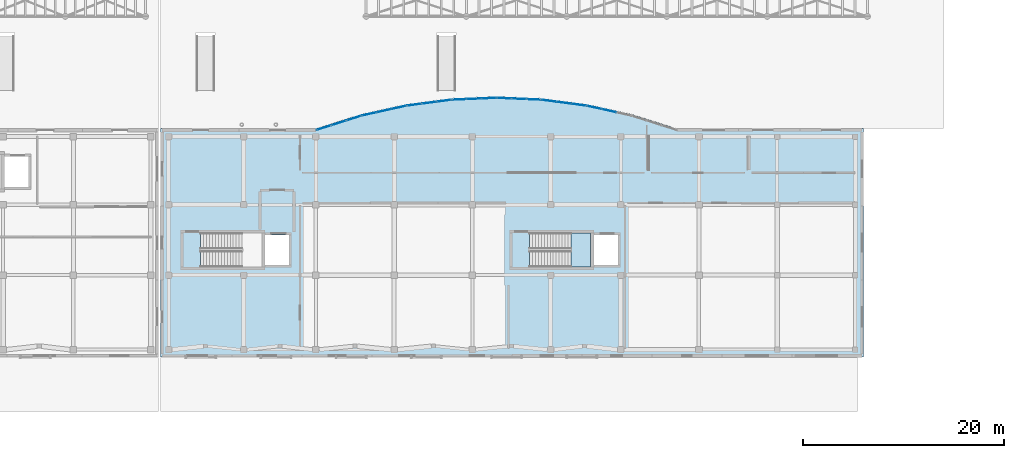
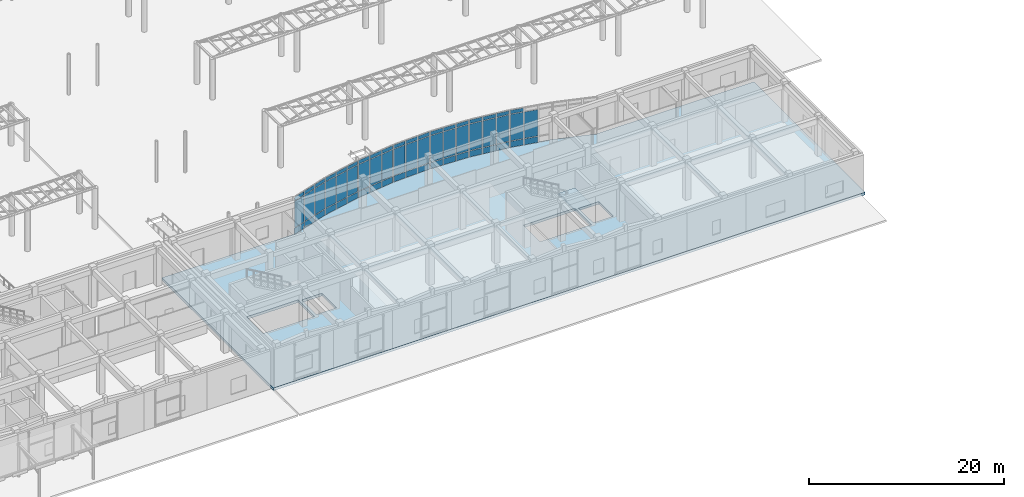
# One storey, part 80 of 121: 59 plates, 2 slabs, 8 elements without a shape of their own.
"""IFC4 building model written with IfcOpenShell, lengths in metres."""

from ifc_helpers import new_model, si_unit, direction, frame, origin, origin_2d, place, context, subcontext, project, spatial, polyline, rectangle, outline, extrude, material, layer, layer_set, type_object, element, aggregate, save


model = new_model("IFC4")

# Units and contexts
model_context = context("Model", 3, precision=1e-05, world=origin(), true_north=direction((0.0, 1.0)))
body_context = subcontext(model_context, "Body", "Model", "MODEL_VIEW")
ifc_project = project(units=[si_unit("LENGTHUNIT", "METRE"), si_unit("AREAUNIT", "SQUARE_METRE"), si_unit("VOLUMEUNIT", "CUBIC_METRE"), si_unit("PLANEANGLEUNIT", "RADIAN"), si_unit("MASSUNIT", "GRAM", prefix="KILO")], contexts=[model_context])

# Site, building, storey
site_placement = place(None, origin())
site = spatial("IfcSite", under=ifc_project, at=site_placement, CompositionType="ELEMENT")
building_placement = place(site_placement, origin())
building = spatial("IfcBuilding", under=site, at=building_placement, Name="Valcora Specialist Clinic", CompositionType="ELEMENT")
storey_placement = place(building_placement, origin())
storey = spatial("IfcBuildingStorey", under=building, at=storey_placement, Name="L00", CompositionType="ELEMENT", Elevation=0.0)

# Curtain wall, plates
ifc_material_1 = material(Name="Anodized Bronze Aluminium 6063-T6", Category="aluminium")
ifc_layer_1 = layer(ifc_material_1, 0.175048828125)
ifc_layer_set_1 = layer_set([ifc_layer_1], Name="Anodized Bronze Aluminium 6063-T6")
curtain_wall_type = type_object("IfcCurtainWallType", Name="TY-CW-ARC51", PredefinedType="NOTDEFINED", material=ifc_layer_set_1)
curtain_wall_1_placement = place(storey_placement, origin())
curtain_wall_1 = element("IfcCurtainWall", 1, at=curtain_wall_1_placement, inside=storey, type_object=curtain_wall_type, Name="Curtain wall CW-L00-186", PredefinedType="NOTDEFINED")
ifc_material_2 = material(Name="Low-E Laminated Insulating Glass", Category="glass")
ifc_layer_2 = layer(ifc_material_2, 0.028076171875)
ifc_layer_set_2 = layer_set([ifc_layer_2], Name="Low-E Laminated Insulating Glass")
plate_type_1 = type_object("IfcPlateType", Name="TY-CWP-GLZ28", PredefinedType="CURTAIN_PANEL", material=ifc_layer_set_2)
plate_1_placement = place(storey_placement, frame((69.79150390625, 22.89453125, 0.88232421875), z_axis=(0.0, 0.0, 1.0), x_axis=(0.952916356972, 0.303233270958, 0.0)))
plate_1 = element("IfcPlate", 2, at=plate_1_placement, type_object=plate_type_1, Name="CW-ARC-51 panel 1.2", PredefinedType="CURTAIN_PANEL", context=body_context, shape_type="SweptSolid", body=[
    extrude(rectangle(XDim=1.482177734375, YDim=0.028076171875, at=origin_2d()), origin(), (0.0, 0.0, 1.0), 3.304931640625),
])
plate_2_placement = place(storey_placement, frame((69.79150390625, 22.89453125, 4.25244140625), z_axis=(0.0, 0.0, 1.0), x_axis=(0.952916356972, 0.303233270958, 0.0)))
plate_2 = element("IfcPlate", 3, at=plate_2_placement, type_object=plate_type_1, Name="CW-ARC-51 panel 1.3", PredefinedType="CURTAIN_PANEL", context=body_context, shape_type="SweptSolid", body=[
    extrude(rectangle(XDim=1.482177734375, YDim=0.028076171875, at=origin_2d()), origin(), (0.0, 0.0, 1.0), 0.452392578125),
])
plate_3_placement = place(storey_placement, frame((71.28125, 23.368408203125, 0.88232421875), z_axis=(0.0, 0.0, 1.0), x_axis=(0.952916356972, 0.303233270958, 0.0)))
plate_3 = element("IfcPlate", 4, at=plate_3_placement, type_object=plate_type_1, Name="CW-ARC-51 panel 2.2", PredefinedType="CURTAIN_PANEL", context=body_context, shape_type="SweptSolid", body=[
    extrude(rectangle(XDim=1.5146484375, YDim=0.028076171875, at=origin_2d()), origin(), (0.0, 0.0, 1.0), 3.304931640625),
])
plate_4_placement = place(storey_placement, frame((71.28125, 23.368408203125, 4.25244140625), z_axis=(0.0, 0.0, 1.0), x_axis=(0.952916356972, 0.303233270958, 0.0)))
plate_4 = element("IfcPlate", 5, at=plate_4_placement, type_object=plate_type_1, Name="CW-ARC-51 panel 2.3", PredefinedType="CURTAIN_PANEL", context=body_context, shape_type="SweptSolid", body=[
    extrude(rectangle(XDim=1.5146484375, YDim=0.028076171875, at=origin_2d()), origin(), (0.0, 0.0, 1.0), 0.452392578125),
])
plate_5_placement = place(storey_placement, frame((72.77099609375, 23.842529296875, 0.88232421875), z_axis=(0.0, 0.0, 1.0), x_axis=(0.952916356972, 0.303233270958, 0.0)))
plate_5 = element("IfcPlate", 6, at=plate_5_placement, type_object=plate_type_1, Name="CW-ARC-51 panel 3.2", PredefinedType="CURTAIN_PANEL", context=body_context, shape_type="SweptSolid", body=[
    extrude(rectangle(XDim=1.482177734375, YDim=0.028076171875, at=origin_2d()), origin(), (0.0, 0.0, 1.0), 3.304931640625),
])
plate_6_placement = place(storey_placement, frame((72.77099609375, 23.842529296875, 4.25244140625), z_axis=(0.0, 0.0, 1.0), x_axis=(0.952916356972, 0.303233270958, 0.0)))
plate_6 = element("IfcPlate", 7, at=plate_6_placement, type_object=plate_type_1, Name="CW-ARC-51 panel 3.3", PredefinedType="CURTAIN_PANEL", context=body_context, shape_type="SweptSolid", body=[
    extrude(rectangle(XDim=1.482177734375, YDim=0.028076171875, at=origin_2d()), origin(), (0.0, 0.0, 1.0), 0.452392578125),
])

curtain_wall_2_placement = place(storey_placement, origin())
curtain_wall_2 = element("IfcCurtainWall", 8, at=curtain_wall_2_placement, inside=storey, type_object=curtain_wall_type, Name="Curtain wall CW-L00-188", PredefinedType="NOTDEFINED")
plate_7_placement = place(storey_placement, frame((78.7900390625, 25.182373046875, 0.88232421875), z_axis=(0.0, 0.0, 1.0), x_axis=(0.991514060421, 0.129999492259, 0.0)))
plate_7 = element("IfcPlate", 9, at=plate_7_placement, type_object=plate_type_1, Name="CW-ARC-51 panel 1.2", PredefinedType="CURTAIN_PANEL", context=body_context, shape_type="SweptSolid", body=[
    extrude(rectangle(XDim=1.410888671875, YDim=0.028076171875, at=origin_2d()), origin(), (0.0, 0.0, 1.0), 3.304931640625),
])
plate_8_placement = place(storey_placement, frame((78.7900390625, 25.182373046875, 4.25244140625), z_axis=(0.0, 0.0, 1.0), x_axis=(0.991514060421, 0.129999492259, 0.0)))
plate_8 = element("IfcPlate", 10, at=plate_8_placement, type_object=plate_type_1, Name="CW-ARC-51 panel 1.3", PredefinedType="CURTAIN_PANEL", context=body_context, shape_type="SweptSolid", body=[
    extrude(rectangle(XDim=1.410888671875, YDim=0.028076171875, at=origin_2d()), origin(), (0.0, 0.0, 1.0), 0.452392578125),
])
plate_9_placement = place(storey_placement, frame((80.26953125, 25.376220703125, 0.88232421875), z_axis=(0.0, 0.0, 1.0), x_axis=(0.991514060421, 0.129999492259, 0.0)))
plate_9 = element("IfcPlate", 11, at=plate_9_placement, type_object=plate_type_1, Name="CW-ARC-51 panel 2.2", PredefinedType="CURTAIN_PANEL", context=body_context, shape_type="SweptSolid", body=[
    extrude(rectangle(XDim=1.443359375, YDim=0.028076171875, at=origin_2d()), origin(), (0.0, 0.0, 1.0), 3.304931640625),
])
plate_10_placement = place(storey_placement, frame((80.26953125, 25.376220703125, 4.25244140625), z_axis=(0.0, 0.0, 1.0), x_axis=(0.991514060421, 0.129999492259, 0.0)))
plate_10 = element("IfcPlate", 12, at=plate_10_placement, type_object=plate_type_1, Name="CW-ARC-51 panel 2.3", PredefinedType="CURTAIN_PANEL", context=body_context, shape_type="SweptSolid", body=[
    extrude(rectangle(XDim=1.443359375, YDim=0.028076171875, at=origin_2d()), origin(), (0.0, 0.0, 1.0), 0.452392578125),
])
plate_11_placement = place(storey_placement, frame((81.7490234375, 25.5703125, 0.88232421875), z_axis=(0.0, 0.0, 1.0), x_axis=(0.991514060421, 0.129999492259, 0.0)))
plate_11 = element("IfcPlate", 13, at=plate_11_placement, type_object=plate_type_1, Name="CW-ARC-51 panel 3.2", PredefinedType="CURTAIN_PANEL", context=body_context, shape_type="SweptSolid", body=[
    extrude(rectangle(XDim=1.410888671875, YDim=0.028076171875, at=origin_2d()), origin(), (0.0, 0.0, 1.0), 3.304931640625),
])
plate_12_placement = place(storey_placement, frame((81.7490234375, 25.5703125, 4.25244140625), z_axis=(0.0, 0.0, 1.0), x_axis=(0.991514060421, 0.129999492259, 0.0)))
plate_12 = element("IfcPlate", 14, at=plate_12_placement, type_object=plate_type_1, Name="CW-ARC-51 panel 3.3", PredefinedType="CURTAIN_PANEL", context=body_context, shape_type="SweptSolid", body=[
    extrude(rectangle(XDim=1.410888671875, YDim=0.028076171875, at=origin_2d()), origin(), (0.0, 0.0, 1.0), 0.452392578125),
])

curtain_wall_3_placement = place(storey_placement, origin())
curtain_wall_3 = element("IfcCurtainWall", 15, at=curtain_wall_3_placement, inside=storey, type_object=curtain_wall_type, Name="Curtain wall CW-L00-190", PredefinedType="NOTDEFINED")
plate_13_placement = place(storey_placement, frame((87.76416015625, 25.831787109375, 0.88232421875), z_axis=(0.0, 0.0, 1.0), x_axis=(0.999061821291, -0.043306780525, 0.0)))
plate_13 = element("IfcPlate", 16, at=plate_13_placement, type_object=plate_type_1, Name="CW-ARC-51 panel 1.2", PredefinedType="CURTAIN_PANEL", context=body_context, shape_type="SweptSolid", body=[
    extrude(rectangle(XDim=1.399658203125, YDim=0.028076171875, at=origin_2d()), origin(), (0.0, 0.0, 1.0), 3.304931640625),
])
plate_14_placement = place(storey_placement, frame((87.76416015625, 25.831787109375, 4.25244140625), z_axis=(0.0, 0.0, 1.0), x_axis=(0.999061821291, -0.043306780525, 0.0)))
plate_14 = element("IfcPlate", 17, at=plate_14_placement, type_object=plate_type_1, Name="CW-ARC-51 panel 1.3", PredefinedType="CURTAIN_PANEL", context=body_context, shape_type="SweptSolid", body=[
    extrude(rectangle(XDim=1.399658203125, YDim=0.028076171875, at=origin_2d()), origin(), (0.0, 0.0, 1.0), 0.452392578125),
])
plate_15_placement = place(storey_placement, frame((89.243408203125, 25.767578125, 0.88232421875), z_axis=(0.0, 0.0, 1.0), x_axis=(0.999061821291, -0.043306780525, 0.0)))
plate_15 = element("IfcPlate", 18, at=plate_15_placement, type_object=plate_type_1, Name="CW-ARC-51 panel 2.2", PredefinedType="CURTAIN_PANEL", context=body_context, shape_type="SweptSolid", body=[
    extrude(rectangle(XDim=1.43212890625, YDim=0.028076171875, at=origin_2d()), origin(), (0.0, 0.0, 1.0), 3.304931640625),
])
plate_16_placement = place(storey_placement, frame((89.243408203125, 25.767578125, 4.25244140625), z_axis=(0.0, 0.0, 1.0), x_axis=(0.999061821291, -0.043306780525, 0.0)))
plate_16 = element("IfcPlate", 19, at=plate_16_placement, type_object=plate_type_1, Name="CW-ARC-51 panel 2.3", PredefinedType="CURTAIN_PANEL", context=body_context, shape_type="SweptSolid", body=[
    extrude(rectangle(XDim=1.43212890625, YDim=0.028076171875, at=origin_2d()), origin(), (0.0, 0.0, 1.0), 0.452392578125),
])
plate_17_placement = place(storey_placement, frame((90.722900390625, 25.70361328125, 0.88232421875), z_axis=(0.0, 0.0, 1.0), x_axis=(0.999061821291, -0.043306780525, 0.0)))
plate_17 = element("IfcPlate", 20, at=plate_17_placement, type_object=plate_type_1, Name="CW-ARC-51 panel 3.2", PredefinedType="CURTAIN_PANEL", context=body_context, shape_type="SweptSolid", body=[
    extrude(rectangle(XDim=1.399658203125, YDim=0.028076171875, at=origin_2d()), origin(), (0.0, 0.0, 1.0), 3.304931640625),
])
plate_18_placement = place(storey_placement, frame((90.722900390625, 25.70361328125, 4.25244140625), z_axis=(0.0, 0.0, 1.0), x_axis=(0.999061821291, -0.043306780525, 0.0)))
plate_18 = element("IfcPlate", 21, at=plate_18_placement, type_object=plate_type_1, Name="CW-ARC-51 panel 3.3", PredefinedType="CURTAIN_PANEL", context=body_context, shape_type="SweptSolid", body=[
    extrude(rectangle(XDim=1.399658203125, YDim=0.028076171875, at=origin_2d()), origin(), (0.0, 0.0, 1.0), 0.452392578125),
])

curtain_wall_4_placement = place(storey_placement, origin())
curtain_wall_4 = element("IfcCurtainWall", 22, at=curtain_wall_4_placement, inside=storey, type_object=curtain_wall_type, Name="Curtain wall CW-L00-192", PredefinedType="NOTDEFINED")
plate_19_placement = place(storey_placement, frame((96.73779296875, 24.912841796875, 0.88232421875), z_axis=(0.0, 0.0, 1.0), x_axis=(0.976278614432, -0.216518052372, 0.0)))
plate_19 = element("IfcPlate", 23, at=plate_19_placement, type_object=plate_type_1, Name="CW-ARC-51 panel 1.2", PredefinedType="CURTAIN_PANEL", context=body_context, shape_type="SweptSolid", body=[
    extrude(rectangle(XDim=1.4345703125, YDim=0.028076171875, at=origin_2d()), origin(), (0.0, 0.0, 1.0), 3.304931640625),
])
plate_20_placement = place(storey_placement, frame((96.73779296875, 24.912841796875, 4.25244140625), z_axis=(0.0, 0.0, 1.0), x_axis=(0.976278614432, -0.216518052372, 0.0)))
plate_20 = element("IfcPlate", 24, at=plate_20_placement, type_object=plate_type_1, Name="CW-ARC-51 panel 1.3", PredefinedType="CURTAIN_PANEL", context=body_context, shape_type="SweptSolid", body=[
    extrude(rectangle(XDim=1.4345703125, YDim=0.028076171875, at=origin_2d()), origin(), (0.0, 0.0, 1.0), 0.452392578125),
])
plate_21_placement = place(storey_placement, frame((98.217529296875, 24.58447265625, 0.88232421875), z_axis=(0.0, 0.0, 1.0), x_axis=(0.976278614432, -0.216518052372, 0.0)))
plate_21 = element("IfcPlate", 25, at=plate_21_placement, type_object=plate_type_1, Name="CW-ARC-51 panel 2.2", PredefinedType="CURTAIN_PANEL", context=body_context, shape_type="SweptSolid", body=[
    extrude(rectangle(XDim=1.467041015625, YDim=0.028076171875, at=origin_2d()), origin(), (0.0, 0.0, 1.0), 3.304931640625),
])

curtain_wall_5_placement = place(storey_placement, origin())
curtain_wall_5 = element("IfcCurtainWall", 26, at=curtain_wall_5_placement, inside=storey, type_object=curtain_wall_type, Name="Curtain wall CW-L00-187", PredefinedType="NOTDEFINED")
ifc_layer_3 = layer(ifc_material_2, 0.033935546875)
ifc_layer_set_3 = layer_set([ifc_layer_3], Name="Low-E Laminated Insulating Glass")
plate_type_2 = type_object("IfcPlateType", Name="TY-CWP-GLZ34", PredefinedType="CURTAIN_PANEL", material=ifc_layer_set_3)
plate_22_placement = place(storey_placement, frame((74.302734375, 24.25634765625, 0.88232421875), z_axis=(0.0, 0.0, 1.0), x_axis=(0.976278614432, 0.216518052372, 0.0)))
plate_22 = element("IfcPlate", 27, at=plate_22_placement, type_object=plate_type_2, Name="CW-ARC-51 panel 1.2", PredefinedType="CURTAIN_PANEL", context=body_context, shape_type="SweptSolid", body=[
    extrude(rectangle(XDim=1.4345703125, YDim=0.033935546875, at=origin_2d()), origin(), (0.0, 0.0, 1.0), 3.304931640625),
])
plate_23_placement = place(storey_placement, frame((74.302734375, 24.25634765625, 4.25244140625), z_axis=(0.0, 0.0, 1.0), x_axis=(0.976278614432, 0.216518052372, 0.0)))
plate_23 = element("IfcPlate", 28, at=plate_23_placement, type_object=plate_type_2, Name="CW-ARC-51 panel 1.3", PredefinedType="CURTAIN_PANEL", context=body_context, shape_type="SweptSolid", body=[
    extrude(rectangle(XDim=1.4345703125, YDim=0.033935546875, at=origin_2d()), origin(), (0.0, 0.0, 1.0), 0.452392578125),
])
plate_24_placement = place(storey_placement, frame((75.782470703125, 24.58447265625, 0.88232421875), z_axis=(0.0, 0.0, 1.0), x_axis=(0.976278614432, 0.216518052372, 0.0)))
plate_24 = element("IfcPlate", 29, at=plate_24_placement, type_object=plate_type_2, Name="CW-ARC-51 panel 2.2", PredefinedType="CURTAIN_PANEL", context=body_context, shape_type="SweptSolid", body=[
    extrude(rectangle(XDim=1.467041015625, YDim=0.033935546875, at=origin_2d()), origin(), (0.0, 0.0, 1.0), 3.304931640625),
])
plate_25_placement = place(storey_placement, frame((75.782470703125, 24.58447265625, 4.25244140625), z_axis=(0.0, 0.0, 1.0), x_axis=(0.976278614432, 0.216518052372, 0.0)))
plate_25 = element("IfcPlate", 30, at=plate_25_placement, type_object=plate_type_2, Name="CW-ARC-51 panel 2.3", PredefinedType="CURTAIN_PANEL", context=body_context, shape_type="SweptSolid", body=[
    extrude(rectangle(XDim=1.467041015625, YDim=0.033935546875, at=origin_2d()), origin(), (0.0, 0.0, 1.0), 0.452392578125),
])
plate_26_placement = place(storey_placement, frame((77.26220703125, 24.912841796875, 0.88232421875), z_axis=(0.0, 0.0, 1.0), x_axis=(0.976278614432, 0.216518052372, 0.0)))
plate_26 = element("IfcPlate", 31, at=plate_26_placement, type_object=plate_type_2, Name="CW-ARC-51 panel 3.2", PredefinedType="CURTAIN_PANEL", context=body_context, shape_type="SweptSolid", body=[
    extrude(rectangle(XDim=1.4345703125, YDim=0.033935546875, at=origin_2d()), origin(), (0.0, 0.0, 1.0), 3.304931640625),
])
plate_27_placement = place(storey_placement, frame((77.26220703125, 24.912841796875, 4.25244140625), z_axis=(0.0, 0.0, 1.0), x_axis=(0.976278614432, 0.216518052372, 0.0)))
plate_27 = element("IfcPlate", 32, at=plate_27_placement, type_object=plate_type_2, Name="CW-ARC-51 panel 3.3", PredefinedType="CURTAIN_PANEL", context=body_context, shape_type="SweptSolid", body=[
    extrude(rectangle(XDim=1.4345703125, YDim=0.033935546875, at=origin_2d()), origin(), (0.0, 0.0, 1.0), 0.452392578125),
])

curtain_wall_6_placement = place(storey_placement, origin())
curtain_wall_6 = element("IfcCurtainWall", 33, at=curtain_wall_6_placement, inside=storey, type_object=curtain_wall_type, Name="Curtain wall CW-L00-189", PredefinedType="NOTDEFINED")
plate_28_placement = place(storey_placement, frame((83.277099609375, 25.70361328125, 0.88232421875), z_axis=(0.0, 0.0, 1.0), x_axis=(0.999061821291, 0.043306780525, 0.0)))
plate_28 = element("IfcPlate", 34, at=plate_28_placement, type_object=plate_type_2, Name="CW-ARC-51 panel 1.2", PredefinedType="CURTAIN_PANEL", context=body_context, shape_type="SweptSolid", body=[
    extrude(rectangle(XDim=1.399658203125, YDim=0.033935546875, at=origin_2d()), origin(), (0.0, 0.0, 1.0), 3.304931640625),
])
plate_29_placement = place(storey_placement, frame((83.277099609375, 25.70361328125, 4.25244140625), z_axis=(0.0, 0.0, 1.0), x_axis=(0.999061821291, 0.043306780525, 0.0)))
plate_29 = element("IfcPlate", 35, at=plate_29_placement, type_object=plate_type_2, Name="CW-ARC-51 panel 1.3", PredefinedType="CURTAIN_PANEL", context=body_context, shape_type="SweptSolid", body=[
    extrude(rectangle(XDim=1.399658203125, YDim=0.033935546875, at=origin_2d()), origin(), (0.0, 0.0, 1.0), 0.452392578125),
])
plate_30_placement = place(storey_placement, frame((84.756591796875, 25.767578125, 0.88232421875), z_axis=(0.0, 0.0, 1.0), x_axis=(0.999061821291, 0.043306780525, 0.0)))
plate_30 = element("IfcPlate", 36, at=plate_30_placement, type_object=plate_type_2, Name="CW-ARC-51 panel 2.2", PredefinedType="CURTAIN_PANEL", context=body_context, shape_type="SweptSolid", body=[
    extrude(rectangle(XDim=1.43212890625, YDim=0.033935546875, at=origin_2d()), origin(), (0.0, 0.0, 1.0), 3.304931640625),
])
plate_31_placement = place(storey_placement, frame((84.756591796875, 25.767578125, 4.25244140625), z_axis=(0.0, 0.0, 1.0), x_axis=(0.999061821291, 0.043306780525, 0.0)))
plate_31 = element("IfcPlate", 37, at=plate_31_placement, type_object=plate_type_2, Name="CW-ARC-51 panel 2.3", PredefinedType="CURTAIN_PANEL", context=body_context, shape_type="SweptSolid", body=[
    extrude(rectangle(XDim=1.43212890625, YDim=0.033935546875, at=origin_2d()), origin(), (0.0, 0.0, 1.0), 0.452392578125),
])
plate_32_placement = place(storey_placement, frame((86.23583984375, 25.831787109375, 0.88232421875), z_axis=(0.0, 0.0, 1.0), x_axis=(0.999061821291, 0.043306780525, 0.0)))
plate_32 = element("IfcPlate", 38, at=plate_32_placement, type_object=plate_type_2, Name="CW-ARC-51 panel 3.2", PredefinedType="CURTAIN_PANEL", context=body_context, shape_type="SweptSolid", body=[
    extrude(rectangle(XDim=1.399658203125, YDim=0.033935546875, at=origin_2d()), origin(), (0.0, 0.0, 1.0), 3.304931640625),
])
plate_33_placement = place(storey_placement, frame((86.23583984375, 25.831787109375, 4.25244140625), z_axis=(0.0, 0.0, 1.0), x_axis=(0.999061821291, 0.043306780525, 0.0)))
plate_33 = element("IfcPlate", 39, at=plate_33_placement, type_object=plate_type_2, Name="CW-ARC-51 panel 3.3", PredefinedType="CURTAIN_PANEL", context=body_context, shape_type="SweptSolid", body=[
    extrude(rectangle(XDim=1.399658203125, YDim=0.033935546875, at=origin_2d()), origin(), (0.0, 0.0, 1.0), 0.452392578125),
])

curtain_wall_7_placement = place(storey_placement, origin())
curtain_wall_7 = element("IfcCurtainWall", 40, at=curtain_wall_7_placement, inside=storey, type_object=curtain_wall_type, Name="Curtain wall CW-L00-191", PredefinedType="NOTDEFINED")
plate_34_placement = place(storey_placement, frame((92.2509765625, 25.5703125, 0.88232421875), z_axis=(0.0, 0.0, 1.0), x_axis=(0.991514060421, -0.129999492259, 0.0)))
plate_34 = element("IfcPlate", 41, at=plate_34_placement, type_object=plate_type_2, Name="CW-ARC-51 panel 1.2", PredefinedType="CURTAIN_PANEL", context=body_context, shape_type="SweptSolid", body=[
    extrude(rectangle(XDim=1.410888671875, YDim=0.033935546875, at=origin_2d()), origin(), (0.0, 0.0, 1.0), 3.304931640625),
])
plate_35_placement = place(storey_placement, frame((92.2509765625, 25.5703125, 4.25244140625), z_axis=(0.0, 0.0, 1.0), x_axis=(0.991514060421, -0.129999492259, 0.0)))
plate_35 = element("IfcPlate", 42, at=plate_35_placement, type_object=plate_type_2, Name="CW-ARC-51 panel 1.3", PredefinedType="CURTAIN_PANEL", context=body_context, shape_type="SweptSolid", body=[
    extrude(rectangle(XDim=1.410888671875, YDim=0.033935546875, at=origin_2d()), origin(), (0.0, 0.0, 1.0), 0.452392578125),
])
plate_36_placement = place(storey_placement, frame((93.73046875, 25.376220703125, 0.88232421875), z_axis=(0.0, 0.0, 1.0), x_axis=(0.991514060421, -0.129999492259, 0.0)))
plate_36 = element("IfcPlate", 43, at=plate_36_placement, type_object=plate_type_2, Name="CW-ARC-51 panel 2.2", PredefinedType="CURTAIN_PANEL", context=body_context, shape_type="SweptSolid", body=[
    extrude(rectangle(XDim=1.443359375, YDim=0.033935546875, at=origin_2d()), origin(), (0.0, 0.0, 1.0), 3.304931640625),
])
plate_37_placement = place(storey_placement, frame((93.73046875, 25.376220703125, 4.25244140625), z_axis=(0.0, 0.0, 1.0), x_axis=(0.991514060421, -0.129999492259, 0.0)))
plate_37 = element("IfcPlate", 44, at=plate_37_placement, type_object=plate_type_2, Name="CW-ARC-51 panel 2.3", PredefinedType="CURTAIN_PANEL", context=body_context, shape_type="SweptSolid", body=[
    extrude(rectangle(XDim=1.443359375, YDim=0.033935546875, at=origin_2d()), origin(), (0.0, 0.0, 1.0), 0.452392578125),
])
plate_38_placement = place(storey_placement, frame((95.2099609375, 25.182373046875, 0.88232421875), z_axis=(0.0, 0.0, 1.0), x_axis=(0.991514060421, -0.129999492259, 0.0)))
plate_38 = element("IfcPlate", 45, at=plate_38_placement, type_object=plate_type_2, Name="CW-ARC-51 panel 3.2", PredefinedType="CURTAIN_PANEL", context=body_context, shape_type="SweptSolid", body=[
    extrude(rectangle(XDim=1.410888671875, YDim=0.033935546875, at=origin_2d()), origin(), (0.0, 0.0, 1.0), 3.304931640625),
])
plate_39_placement = place(storey_placement, frame((95.2099609375, 25.182373046875, 4.25244140625), z_axis=(0.0, 0.0, 1.0), x_axis=(0.991514060421, -0.129999492259, 0.0)))
plate_39 = element("IfcPlate", 46, at=plate_39_placement, type_object=plate_type_2, Name="CW-ARC-51 panel 3.3", PredefinedType="CURTAIN_PANEL", context=body_context, shape_type="SweptSolid", body=[
    extrude(rectangle(XDim=1.410888671875, YDim=0.033935546875, at=origin_2d()), origin(), (0.0, 0.0, 1.0), 0.452392578125),
])

# Plate
ifc_material_3 = material(Name="Insulated Spandrel Panel")
ifc_layer_4 = layer(ifc_material_3, 0.044921875)
ifc_layer_set_4 = layer_set([ifc_layer_4], Name="Insulated Spandrel Panel")
plate_type_3 = type_object("IfcPlateType", Name="TY-CWP-SPN45", PredefinedType="SHEET", material=ifc_layer_set_4)
plate_40_placement = place(storey_placement, frame((69.79150390625, 22.89453125, 0.06494140625), z_axis=(0.0, 0.0, 1.0), x_axis=(0.952916356972, 0.303233270958, 0.0)))
plate_40 = element("IfcPlate", 47, at=plate_40_placement, type_object=plate_type_3, Name="CW-ARC-51 panel 1.1", PredefinedType="SHEET", context=body_context, shape_type="SweptSolid", body=[
    extrude(rectangle(XDim=1.482177734375, YDim=0.044921875, at=origin_2d()), origin(), (0.0, 0.0, 1.0), 0.75244140625),
])

plate_41_placement = place(storey_placement, frame((71.28125, 23.368408203125, 0.06494140625), z_axis=(0.0, 0.0, 1.0), x_axis=(0.952916356972, 0.303233270958, 0.0)))
plate_41 = element("IfcPlate", 48, at=plate_41_placement, type_object=plate_type_3, Name="CW-ARC-51 panel 2.1", PredefinedType="SHEET", context=body_context, shape_type="SweptSolid", body=[
    extrude(rectangle(XDim=1.5146484375, YDim=0.044921875, at=origin_2d()), origin(), (0.0, 0.0, 1.0), 0.75244140625),
])

plate_42_placement = place(storey_placement, frame((72.77099609375, 23.842529296875, 0.06494140625), z_axis=(0.0, 0.0, 1.0), x_axis=(0.952916356972, 0.303233270958, 0.0)))
plate_42 = element("IfcPlate", 49, at=plate_42_placement, type_object=plate_type_3, Name="CW-ARC-51 panel 3.1", PredefinedType="SHEET", context=body_context, shape_type="SweptSolid", body=[
    extrude(rectangle(XDim=1.482177734375, YDim=0.044921875, at=origin_2d()), origin(), (0.0, 0.0, 1.0), 0.75244140625),
])

aggregate(curtain_wall_1, [plate_40, plate_1, plate_2, plate_41, plate_3, plate_4, plate_42, plate_5, plate_6])

plate_43_placement = place(storey_placement, frame((74.302734375, 24.25634765625, 0.06494140625), z_axis=(0.0, 0.0, 1.0), x_axis=(0.976278614432, 0.216518052372, 0.0)))
plate_43 = element("IfcPlate", 50, at=plate_43_placement, type_object=plate_type_3, Name="CW-ARC-51 panel 1.1", PredefinedType="SHEET", context=body_context, shape_type="SweptSolid", body=[
    extrude(rectangle(XDim=1.4345703125, YDim=0.044921875, at=origin_2d()), origin(), (0.0, 0.0, 1.0), 0.75244140625),
])

plate_44_placement = place(storey_placement, frame((75.782470703125, 24.58447265625, 0.06494140625), z_axis=(0.0, 0.0, 1.0), x_axis=(0.976278614432, 0.216518052372, 0.0)))
plate_44 = element("IfcPlate", 51, at=plate_44_placement, type_object=plate_type_3, Name="CW-ARC-51 panel 2.1", PredefinedType="SHEET", context=body_context, shape_type="SweptSolid", body=[
    extrude(rectangle(XDim=1.467041015625, YDim=0.044921875, at=origin_2d()), origin(), (0.0, 0.0, 1.0), 0.75244140625),
])

plate_45_placement = place(storey_placement, frame((77.26220703125, 24.912841796875, 0.06494140625), z_axis=(0.0, 0.0, 1.0), x_axis=(0.976278614432, 0.216518052372, 0.0)))
plate_45 = element("IfcPlate", 52, at=plate_45_placement, type_object=plate_type_3, Name="CW-ARC-51 panel 3.1", PredefinedType="SHEET", context=body_context, shape_type="SweptSolid", body=[
    extrude(rectangle(XDim=1.4345703125, YDim=0.044921875, at=origin_2d()), origin(), (0.0, 0.0, 1.0), 0.75244140625),
])

aggregate(curtain_wall_5, [plate_43, plate_22, plate_23, plate_44, plate_24, plate_25, plate_45, plate_26, plate_27])

plate_46_placement = place(storey_placement, frame((78.7900390625, 25.182373046875, 0.06494140625), z_axis=(0.0, 0.0, 1.0), x_axis=(0.991514060421, 0.129999492259, 0.0)))
plate_46 = element("IfcPlate", 53, at=plate_46_placement, type_object=plate_type_3, Name="CW-ARC-51 panel 1.1", PredefinedType="SHEET", context=body_context, shape_type="SweptSolid", body=[
    extrude(rectangle(XDim=1.410888671875, YDim=0.044921875, at=origin_2d()), origin(), (0.0, 0.0, 1.0), 0.75244140625),
])

plate_47_placement = place(storey_placement, frame((80.26953125, 25.376220703125, 0.06494140625), z_axis=(0.0, 0.0, 1.0), x_axis=(0.991514060421, 0.129999492259, 0.0)))
plate_47 = element("IfcPlate", 54, at=plate_47_placement, type_object=plate_type_3, Name="CW-ARC-51 panel 2.1", PredefinedType="SHEET", context=body_context, shape_type="SweptSolid", body=[
    extrude(rectangle(XDim=1.443359375, YDim=0.044921875, at=origin_2d()), origin(), (0.0, 0.0, 1.0), 0.75244140625),
])

plate_48_placement = place(storey_placement, frame((81.7490234375, 25.5703125, 0.06494140625), z_axis=(0.0, 0.0, 1.0), x_axis=(0.991514060421, 0.129999492259, 0.0)))
plate_48 = element("IfcPlate", 55, at=plate_48_placement, type_object=plate_type_3, Name="CW-ARC-51 panel 3.1", PredefinedType="SHEET", context=body_context, shape_type="SweptSolid", body=[
    extrude(rectangle(XDim=1.410888671875, YDim=0.044921875, at=origin_2d()), origin(), (0.0, 0.0, 1.0), 0.75244140625),
])

aggregate(curtain_wall_2, [plate_46, plate_7, plate_8, plate_47, plate_9, plate_10, plate_48, plate_11, plate_12])

plate_49_placement = place(storey_placement, frame((83.277099609375, 25.70361328125, 0.06494140625), z_axis=(0.0, 0.0, 1.0), x_axis=(0.999061821291, 0.043306780525, 0.0)))
plate_49 = element("IfcPlate", 56, at=plate_49_placement, type_object=plate_type_3, Name="CW-ARC-51 panel 1.1", PredefinedType="SHEET", context=body_context, shape_type="SweptSolid", body=[
    extrude(rectangle(XDim=1.399658203125, YDim=0.044921875, at=origin_2d()), origin(), (0.0, 0.0, 1.0), 0.75244140625),
])

plate_50_placement = place(storey_placement, frame((84.756591796875, 25.767578125, 0.06494140625), z_axis=(0.0, 0.0, 1.0), x_axis=(0.999061821291, 0.043306780525, 0.0)))
plate_50 = element("IfcPlate", 57, at=plate_50_placement, type_object=plate_type_3, Name="CW-ARC-51 panel 2.1", PredefinedType="SHEET", context=body_context, shape_type="SweptSolid", body=[
    extrude(rectangle(XDim=1.43212890625, YDim=0.044921875, at=origin_2d()), origin(), (0.0, 0.0, 1.0), 0.75244140625),
])

plate_51_placement = place(storey_placement, frame((86.23583984375, 25.831787109375, 0.06494140625), z_axis=(0.0, 0.0, 1.0), x_axis=(0.999061821291, 0.043306780525, 0.0)))
plate_51 = element("IfcPlate", 58, at=plate_51_placement, type_object=plate_type_3, Name="CW-ARC-51 panel 3.1", PredefinedType="SHEET", context=body_context, shape_type="SweptSolid", body=[
    extrude(rectangle(XDim=1.399658203125, YDim=0.044921875, at=origin_2d()), origin(), (0.0, 0.0, 1.0), 0.75244140625),
])

aggregate(curtain_wall_6, [plate_49, plate_28, plate_29, plate_50, plate_30, plate_31, plate_51, plate_32, plate_33])

plate_52_placement = place(storey_placement, frame((87.76416015625, 25.831787109375, 0.06494140625), z_axis=(0.0, 0.0, 1.0), x_axis=(0.999061821291, -0.043306780525, 0.0)))
plate_52 = element("IfcPlate", 59, at=plate_52_placement, type_object=plate_type_3, Name="CW-ARC-51 panel 1.1", PredefinedType="SHEET", context=body_context, shape_type="SweptSolid", body=[
    extrude(rectangle(XDim=1.399658203125, YDim=0.044921875, at=origin_2d()), origin(), (0.0, 0.0, 1.0), 0.75244140625),
])

plate_53_placement = place(storey_placement, frame((89.243408203125, 25.767578125, 0.06494140625), z_axis=(0.0, 0.0, 1.0), x_axis=(0.999061821291, -0.043306780525, 0.0)))
plate_53 = element("IfcPlate", 60, at=plate_53_placement, type_object=plate_type_3, Name="CW-ARC-51 panel 2.1", PredefinedType="SHEET", context=body_context, shape_type="SweptSolid", body=[
    extrude(rectangle(XDim=1.43212890625, YDim=0.044921875, at=origin_2d()), origin(), (0.0, 0.0, 1.0), 0.75244140625),
])

plate_54_placement = place(storey_placement, frame((90.722900390625, 25.70361328125, 0.06494140625), z_axis=(0.0, 0.0, 1.0), x_axis=(0.999061821291, -0.043306780525, 0.0)))
plate_54 = element("IfcPlate", 61, at=plate_54_placement, type_object=plate_type_3, Name="CW-ARC-51 panel 3.1", PredefinedType="SHEET", context=body_context, shape_type="SweptSolid", body=[
    extrude(rectangle(XDim=1.399658203125, YDim=0.044921875, at=origin_2d()), origin(), (0.0, 0.0, 1.0), 0.75244140625),
])

aggregate(curtain_wall_3, [plate_52, plate_13, plate_14, plate_53, plate_15, plate_16, plate_54, plate_17, plate_18])

plate_55_placement = place(storey_placement, frame((92.2509765625, 25.5703125, 0.06494140625), z_axis=(0.0, 0.0, 1.0), x_axis=(0.991514060421, -0.129999492259, 0.0)))
plate_55 = element("IfcPlate", 62, at=plate_55_placement, type_object=plate_type_3, Name="CW-ARC-51 panel 1.1", PredefinedType="SHEET", context=body_context, shape_type="SweptSolid", body=[
    extrude(rectangle(XDim=1.410888671875, YDim=0.044921875, at=origin_2d()), origin(), (0.0, 0.0, 1.0), 0.75244140625),
])

plate_56_placement = place(storey_placement, frame((93.73046875, 25.376220703125, 0.06494140625), z_axis=(0.0, 0.0, 1.0), x_axis=(0.991514060421, -0.129999492259, 0.0)))
plate_56 = element("IfcPlate", 63, at=plate_56_placement, type_object=plate_type_3, Name="CW-ARC-51 panel 2.1", PredefinedType="SHEET", context=body_context, shape_type="SweptSolid", body=[
    extrude(rectangle(XDim=1.443359375, YDim=0.044921875, at=origin_2d()), origin(), (0.0, 0.0, 1.0), 0.75244140625),
])

plate_57_placement = place(storey_placement, frame((95.2099609375, 25.182373046875, 0.06494140625), z_axis=(0.0, 0.0, 1.0), x_axis=(0.991514060421, -0.129999492259, 0.0)))
plate_57 = element("IfcPlate", 64, at=plate_57_placement, type_object=plate_type_3, Name="CW-ARC-51 panel 3.1", PredefinedType="SHEET", context=body_context, shape_type="SweptSolid", body=[
    extrude(rectangle(XDim=1.410888671875, YDim=0.044921875, at=origin_2d()), origin(), (0.0, 0.0, 1.0), 0.75244140625),
])

aggregate(curtain_wall_7, [plate_55, plate_34, plate_35, plate_56, plate_36, plate_37, plate_57, plate_38, plate_39])

plate_58_placement = place(storey_placement, frame((96.73779296875, 24.912841796875, 0.06494140625), z_axis=(0.0, 0.0, 1.0), x_axis=(0.976278614432, -0.216518052372, 0.0)))
plate_58 = element("IfcPlate", 65, at=plate_58_placement, type_object=plate_type_3, Name="CW-ARC-51 panel 1.1", PredefinedType="SHEET", context=body_context, shape_type="SweptSolid", body=[
    extrude(rectangle(XDim=1.4345703125, YDim=0.044921875, at=origin_2d()), origin(), (0.0, 0.0, 1.0), 0.75244140625),
])

plate_59_placement = place(storey_placement, frame((98.217529296875, 24.58447265625, 0.06494140625), z_axis=(0.0, 0.0, 1.0), x_axis=(0.976278614432, -0.216518052372, 0.0)))
plate_59 = element("IfcPlate", 66, at=plate_59_placement, type_object=plate_type_3, Name="CW-ARC-51 panel 2.1", PredefinedType="SHEET", context=body_context, shape_type="SweptSolid", body=[
    extrude(rectangle(XDim=1.467041015625, YDim=0.044921875, at=origin_2d()), origin(), (0.0, 0.0, 1.0), 0.75244140625),
])

aggregate(curtain_wall_4, [plate_58, plate_19, plate_20, plate_59, plate_21])

# Slab
ifc_material_4 = material(Name="Concrete C40/50", Category="concrete")
ifc_layer_5 = layer(ifc_material_4, 0.330078125)
ifc_layer_set_5 = layer_set([ifc_layer_5], Name="Concrete C40/50")
slab_type_1 = type_object("IfcSlabType", Name="TY-SL-FLR330", PredefinedType="FLOOR", material=ifc_layer_set_5)
slab_1_placement = place(storey_placement, frame((0.0, 0.0, -0.330078125)))
element("IfcSlab", 67, at=slab_1_placement, inside=storey, type_object=slab_type_1, Name="V6 L00 structural slab SL-L00-021", PredefinedType="FLOOR", context=body_context, shape_type="SweptSolid", body=[
    extrude(outline(polyline([(53.5, 0.0), (123.60009765625, 0.0), (123.60009765625, 22.800048828125), (105.0, 22.800048828125), (100.5, 24.23193359375), (96.0, 25.22998046875), (91.5, 25.820068359375), (87.0, 26.014892578125), (82.5, 25.820068359375), (78.0, 25.22998046875), (73.5, 24.23193359375), (69.0, 22.800048828125), (53.5, 22.800048828125), (53.5, 0.0)]), holes=[polyline([(57.500732421875, 9.0), (63.60009765625, 9.0), (63.60009765625, 12.39990234375), (57.500732421875, 12.39990234375), (57.500732421875, 9.0)]), polyline([(63.919921875, 9.199951171875), (66.320068359375, 9.199951171875), (66.320068359375, 12.199951171875), (63.919921875, 12.199951171875), (63.919921875, 9.199951171875)]), polyline([(90.30078125, 9.0), (96.39990234375, 9.0), (96.39990234375, 12.39990234375), (90.30078125, 12.39990234375), (90.30078125, 9.0)]), polyline([(96.719970703125, 9.199951171875), (99.1201171875, 9.199951171875), (99.1201171875, 12.199951171875), (96.719970703125, 12.199951171875), (96.719970703125, 9.199951171875)])]), origin(), (0.0, 0.0, 1.0), 0.330078125),
])

# Stair, slab
stair_type = type_object("IfcStairType", Name="TY-ST-DG510", PredefinedType="HALF_TURN_STAIR", material=ifc_material_4)
stair_placement = place(storey_placement, origin())
stair = element("IfcStair", 68, at=stair_placement, inside=storey, type_object=stair_type, Name="L00 Core C-V6B stair ST-V6B", PredefinedType="HALF_TURN_STAIR")
ifc_layer_6 = layer(ifc_material_4, 0.199951171875)
ifc_layer_set_6 = layer_set([ifc_layer_6], Name="Concrete C40/50")
slab_type_2 = type_object("IfcSlabType", Name="TY-SL-LND200", PredefinedType="LANDING", material=ifc_layer_set_6)
slab_2_placement = place(storey_placement, frame((0.0, 0.0, 2.35009765625)))
slab_2 = element("IfcSlab", 69, at=slab_2_placement, type_object=slab_type_2, Name="ST-V6B landing 1", PredefinedType="LANDING", context=body_context, shape_type="SweptSolid", body=[
    extrude(outline(polyline([(94.429931640625, 9.0), (96.39990234375, 9.0), (96.39990234375, 12.39990234375), (94.429931640625, 12.39990234375), (94.429931640625, 9.0)])), origin(), (0.0, 0.0, 1.0), 0.199951171875),
])
aggregate(stair, [slab_2])

save(model, "model.ifc")
